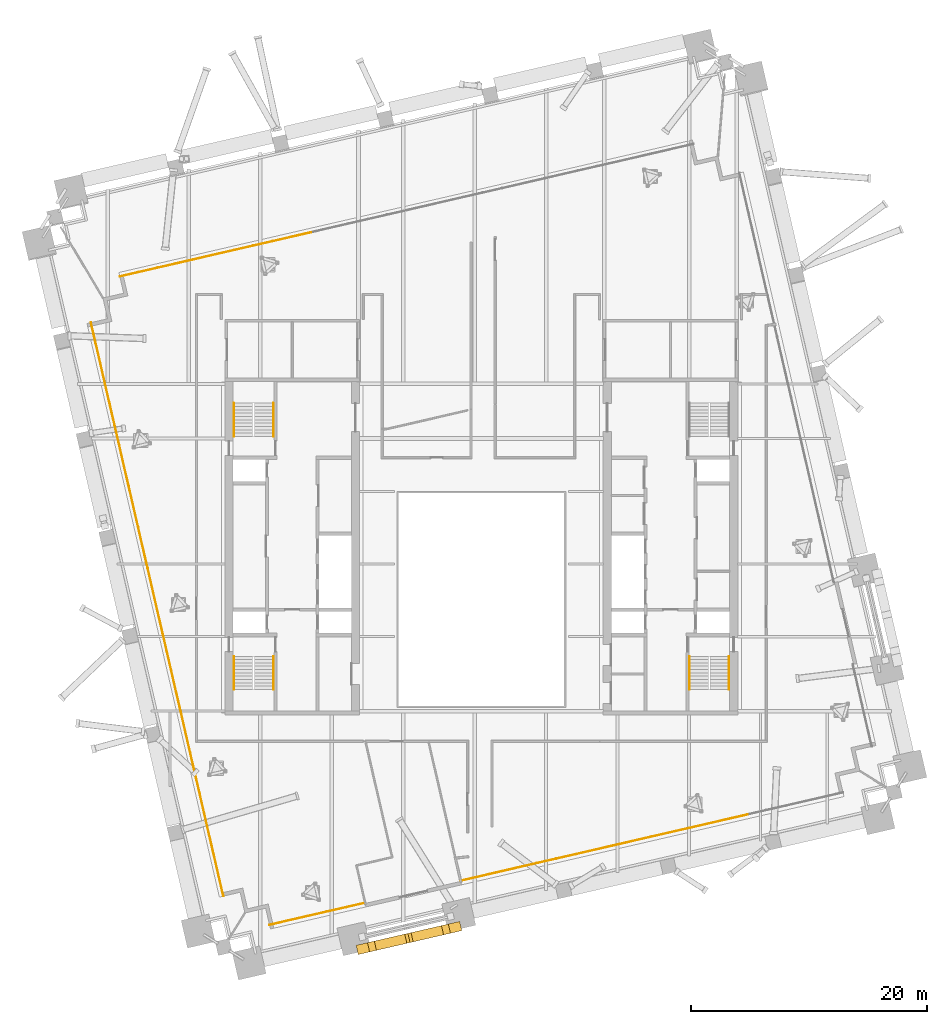
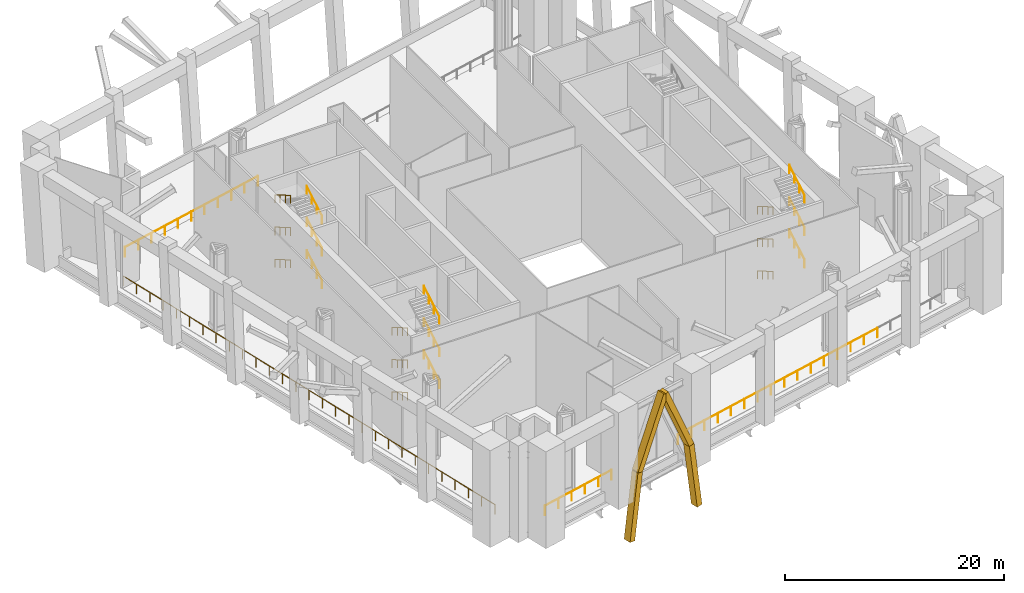
# One storey, part 24 of 25: 31 railings, 4 coverings.
"""IFC4 building model written with IfcOpenShell, lengths in metres."""

from ifc_helpers import new_model, si_unit, direction, frame, origin, origin_2d, place, context, subcontext, project, spatial, rectangle, circle, extrude, material, material_profile, profile_set, type_object, element, save


model = new_model("IFC4")

# Units and contexts
model_context = context("Model", 3, precision=1e-05, world=origin(), true_north=direction((0.0, 1.0)))
body_context = subcontext(model_context, "Body", "Model", "MODEL_VIEW")
ifc_project = project(units=[si_unit("LENGTHUNIT", "METRE"), si_unit("AREAUNIT", "SQUARE_METRE"), si_unit("VOLUMEUNIT", "CUBIC_METRE"), si_unit("PLANEANGLEUNIT", "RADIAN"), si_unit("MASSUNIT", "GRAM", prefix="KILO")], contexts=[model_context])

# Site, building, storey
site_placement = place(None, origin())
site = spatial("IfcSite", under=ifc_project, at=site_placement, CompositionType="ELEMENT")
building_placement = place(site_placement, origin())
building = spatial("IfcBuilding", under=site, at=building_placement, Name="Ogive Exchange Tower", CompositionType="ELEMENT")
storey_placement = place(building_placement, frame((0.0, 0.0, 226.199951171875)))
storey = spatial("IfcBuildingStorey", under=building, at=storey_placement, Name="L50", CompositionType="ELEMENT", Elevation=226.199951171875)

# Railings
ifc_material_1 = material(Name="Stainless steel 316", Category="steel")
railing_type_1 = type_object("IfcRailingType", Name="Guard 1100 stainless steel and glass", PredefinedType="GUARDRAIL", material=ifc_material_1)
railing_1_placement = place(storey_placement, frame((-17.929443359375, -20.52978515625, 0.0)))
element("IfcRailing", 1, at=railing_1_placement, inside=storey, type_object=railing_type_1, Name="Turbine band edge guard 1", PredefinedType="GUARDRAIL", context=body_context, shape_type="SweptSolid", body=[
    extrude(circle(Radius=0.02392578125, at=origin_2d()), frame((0.0, 0.0, 1.076171875), z_axis=(0.97436689797, 0.224964770888, 0.0), x_axis=(-0.224964770888, 0.97436689797, 0.0)), (0.0, 0.0, 1.0), 8.2998046875),
    extrude(circle(Radius=0.02099609375, at=origin_2d()), origin(), (0.0, 0.0, 1.0), 1.052001953125),
    extrude(circle(Radius=0.02099609375, at=origin_2d()), frame((1.617431640625, 0.37353515625, 0.0)), (0.0, 0.0, 1.0), 1.052001953125),
    extrude(circle(Radius=0.02099609375, at=origin_2d()), frame((3.23486328125, 0.746826171875, 0.0)), (0.0, 0.0, 1.0), 1.052001953125),
    extrude(circle(Radius=0.02099609375, at=origin_2d()), frame((4.852294921875, 1.120361328125, 0.0)), (0.0, 0.0, 1.0), 1.052001953125),
    extrude(circle(Radius=0.02099609375, at=origin_2d()), frame((6.4697265625, 1.49365234375, 0.0)), (0.0, 0.0, 1.0), 1.052001953125),
    extrude(circle(Radius=0.02099609375, at=origin_2d()), frame((8.087158203125, 1.8671875, 0.0)), (0.0, 0.0, 1.0), 1.052001953125),
])
railing_2_placement = place(storey_placement, frame((-1.7548828125, -16.795654296875, 0.0)))
element("IfcRailing", 2, at=railing_2_placement, inside=storey, type_object=railing_type_1, Name="Turbine band edge guard 2", PredefinedType="GUARDRAIL", context=body_context, shape_type="SweptSolid", body=[
    extrude(circle(Radius=0.02392578125, at=origin_2d()), frame((0.0, 0.0, 1.076171875), z_axis=(0.974368386566, 0.224958323385, 0.0), x_axis=(-0.224958323385, 0.974368386566, 0.0)), (0.0, 0.0, 1.0), 8.300048828125),
    extrude(circle(Radius=0.02099609375, at=origin_2d()), origin(), (0.0, 0.0, 1.0), 1.052001953125),
    extrude(circle(Radius=0.02099609375, at=origin_2d()), frame((1.617431640625, 0.37353515625, 0.0)), (0.0, 0.0, 1.0), 1.052001953125),
    extrude(circle(Radius=0.02099609375, at=origin_2d()), frame((3.23486328125, 0.746826171875, 0.0)), (0.0, 0.0, 1.0), 1.052001953125),
    extrude(circle(Radius=0.02099609375, at=origin_2d()), frame((4.8525390625, 1.120361328125, 0.0)), (0.0, 0.0, 1.0), 1.052001953125),
    extrude(circle(Radius=0.02099609375, at=origin_2d()), frame((6.469970703125, 1.49365234375, 0.0)), (0.0, 0.0, 1.0), 1.052001953125),
    extrude(circle(Radius=0.02099609375, at=origin_2d()), frame((8.08740234375, 1.8671875, 0.0)), (0.0, 0.0, 1.0), 1.052001953125),
])
railing_3_placement = place(storey_placement, frame((6.33251953125, -14.928466796875, 0.0)))
element("IfcRailing", 3, at=railing_3_placement, inside=storey, type_object=railing_type_1, Name="Turbine band edge guard 3", PredefinedType="GUARDRAIL", context=body_context, shape_type="SweptSolid", body=[
    extrude(circle(Radius=0.02392578125, at=origin_2d()), frame((0.0, 0.0, 1.076171875), z_axis=(0.97436689797, 0.224964770888, 0.0), x_axis=(-0.224964770888, 0.97436689797, 0.0)), (0.0, 0.0, 1.0), 8.2998046875),
    extrude(circle(Radius=0.02099609375, at=origin_2d()), origin(), (0.0, 0.0, 1.0), 1.052001953125),
    extrude(circle(Radius=0.02099609375, at=origin_2d()), frame((1.617431640625, 0.37353515625, 0.0)), (0.0, 0.0, 1.0), 1.052001953125),
    extrude(circle(Radius=0.02099609375, at=origin_2d()), frame((3.23486328125, 0.746826171875, 0.0)), (0.0, 0.0, 1.0), 1.052001953125),
    extrude(circle(Radius=0.02099609375, at=origin_2d()), frame((4.852294921875, 1.120361328125, 0.0)), (0.0, 0.0, 1.0), 1.052001953125),
    extrude(circle(Radius=0.02099609375, at=origin_2d()), frame((6.4697265625, 1.49365234375, 0.0)), (0.0, 0.0, 1.0), 1.052001953125),
    extrude(circle(Radius=0.02099609375, at=origin_2d()), frame((8.087158203125, 1.8671875, 0.0)), (0.0, 0.0, 1.0), 1.052001953125),
])
railing_4_placement = place(storey_placement, frame((14.419677734375, -13.061279296875, 0.0)))
element("IfcRailing", 4, at=railing_4_placement, inside=storey, type_object=railing_type_1, Name="Turbine band edge guard 4", PredefinedType="GUARDRAIL", context=body_context, shape_type="SweptSolid", body=[
    extrude(circle(Radius=0.02392578125, at=origin_2d()), frame((0.0, 0.0, 1.076171875), z_axis=(0.974373345295, 0.224936844422, 0.0), x_axis=(-0.224936844422, 0.974373345295, 0.0)), (0.0, 0.0, 1.0), 8.2998046875),
    extrude(circle(Radius=0.02099609375, at=origin_2d()), origin(), (0.0, 0.0, 1.0), 1.052001953125),
    extrude(circle(Radius=0.02099609375, at=origin_2d()), frame((1.617431640625, 0.373291015625, 0.0)), (0.0, 0.0, 1.0), 1.052001953125),
    extrude(circle(Radius=0.02099609375, at=origin_2d()), frame((3.23486328125, 0.746826171875, 0.0)), (0.0, 0.0, 1.0), 1.052001953125),
    extrude(circle(Radius=0.02099609375, at=origin_2d()), frame((4.852294921875, 1.1201171875, 0.0)), (0.0, 0.0, 1.0), 1.052001953125),
    extrude(circle(Radius=0.02099609375, at=origin_2d()), frame((6.4697265625, 1.49365234375, 0.0)), (0.0, 0.0, 1.0), 1.052001953125),
    extrude(circle(Radius=0.02099609375, at=origin_2d()), frame((8.087158203125, 1.866943359375, 0.0)), (0.0, 0.0, 1.0), 1.052001953125),
])
railing_5_placement = place(storey_placement, frame((-14.419677734375, 38.061279296875, 0.0)))
element("IfcRailing", 5, at=railing_5_placement, inside=storey, type_object=railing_type_1, Name="Turbine band edge guard 16", PredefinedType="GUARDRAIL", context=body_context, shape_type="SweptSolid", body=[
    extrude(circle(Radius=0.02392578125, at=origin_2d()), frame((0.0, 0.0, 1.076171875), z_axis=(-0.974373345295, -0.224936844422, 0.0), x_axis=(0.224936844422, -0.974373345295, 0.0)), (0.0, 0.0, 1.0), 8.2998046875),
    extrude(circle(Radius=0.02099609375, at=origin_2d()), origin(), (0.0, 0.0, 1.0), 1.052001953125),
    extrude(circle(Radius=0.02099609375, at=origin_2d()), frame((-1.617431640625, -0.373291015625, 0.0)), (0.0, 0.0, 1.0), 1.052001953125),
    extrude(circle(Radius=0.02099609375, at=origin_2d()), frame((-3.23486328125, -0.746826171875, 0.0)), (0.0, 0.0, 1.0), 1.052001953125),
    extrude(circle(Radius=0.02099609375, at=origin_2d()), frame((-4.852294921875, -1.1201171875, 0.0)), (0.0, 0.0, 1.0), 1.052001953125),
    extrude(circle(Radius=0.02099609375, at=origin_2d()), frame((-6.4697265625, -1.49365234375, 0.0)), (0.0, 0.0, 1.0), 1.052001953125),
    extrude(circle(Radius=0.02099609375, at=origin_2d()), frame((-8.087158203125, -1.866943359375, 0.0)), (0.0, 0.0, 1.0), 1.052001953125),
])
railing_6_placement = place(storey_placement, frame((-22.5068359375, 36.1943359375, 0.0)))
element("IfcRailing", 6, at=railing_6_placement, inside=storey, type_object=railing_type_1, Name="Turbine band edge guard 17", PredefinedType="GUARDRAIL", context=body_context, shape_type="SweptSolid", body=[
    extrude(circle(Radius=0.02392578125, at=origin_2d()), frame((0.0, 0.0, 1.076171875), z_axis=(-0.974368386566, -0.224958323385, 0.0), x_axis=(0.224958323385, -0.974368386566, 0.0)), (0.0, 0.0, 1.0), 8.300048828125),
    extrude(circle(Radius=0.02099609375, at=origin_2d()), origin(), (0.0, 0.0, 1.0), 1.052001953125),
    extrude(circle(Radius=0.02099609375, at=origin_2d()), frame((-1.617431640625, -0.37353515625, 0.0)), (0.0, 0.0, 1.0), 1.052001953125),
    extrude(circle(Radius=0.02099609375, at=origin_2d()), frame((-3.23486328125, -0.746826171875, 0.0)), (0.0, 0.0, 1.0), 1.052001953125),
    extrude(circle(Radius=0.02099609375, at=origin_2d()), frame((-4.8525390625, -1.120361328125, 0.0)), (0.0, 0.0, 1.0), 1.052001953125),
    extrude(circle(Radius=0.02099609375, at=origin_2d()), frame((-6.469970703125, -1.49365234375, 0.0)), (0.0, 0.0, 1.0), 1.052001953125),
    extrude(circle(Radius=0.02099609375, at=origin_2d()), frame((-8.08740234375, -1.8671875, 0.0)), (0.0, 0.0, 1.0), 1.052001953125),
])
railing_7_placement = place(storey_placement, frame((-33.02978515625, 30.429443359375, 0.0)))
element("IfcRailing", 7, at=railing_7_placement, inside=storey, type_object=railing_type_1, Name="Turbine band edge guard 18", PredefinedType="GUARDRAIL", context=body_context, shape_type="SweptSolid", body=[
    extrude(circle(Radius=0.02392578125, at=origin_2d()), frame((0.0, 0.0, 1.076171875), z_axis=(0.224949733175, -0.9743703698, 0.0), x_axis=(0.9743703698, 0.224949733175, 0.0)), (0.0, 0.0, 1.0), 7.1142578125),
    extrude(circle(Radius=0.02099609375, at=origin_2d()), origin(), (0.0, 0.0, 1.0), 1.052001953125),
    extrude(circle(Radius=0.02099609375, at=origin_2d()), frame((0.400146484375, -1.73291015625, 0.0)), (0.0, 0.0, 1.0), 1.052001953125),
    extrude(circle(Radius=0.02099609375, at=origin_2d()), frame((0.80029296875, -3.4658203125, 0.0)), (0.0, 0.0, 1.0), 1.052001953125),
    extrude(circle(Radius=0.02099609375, at=origin_2d()), frame((1.2001953125, -5.198974609375, 0.0)), (0.0, 0.0, 1.0), 1.052001953125),
    extrude(circle(Radius=0.02099609375, at=origin_2d()), frame((1.600341796875, -6.931884765625, 0.0)), (0.0, 0.0, 1.0), 1.052001953125),
])
railing_8_placement = place(storey_placement, frame((-31.429443359375, 23.49755859375, 0.0)))
element("IfcRailing", 8, at=railing_8_placement, inside=storey, type_object=railing_type_1, Name="Turbine band edge guard 19", PredefinedType="GUARDRAIL", context=body_context, shape_type="SweptSolid", body=[
    extrude(circle(Radius=0.02392578125, at=origin_2d()), frame((0.0, 0.0, 1.076171875), z_axis=(0.22494221161, -0.974372106249, 0.0), x_axis=(0.974372106249, 0.22494221161, 0.0)), (0.0, 0.0, 1.0), 7.114501953125),
    extrude(circle(Radius=0.02099609375, at=origin_2d()), origin(), (0.0, 0.0, 1.0), 1.052001953125),
    extrude(circle(Radius=0.02099609375, at=origin_2d()), frame((0.400146484375, -1.73291015625, 0.0)), (0.0, 0.0, 1.0), 1.052001953125),
    extrude(circle(Radius=0.02099609375, at=origin_2d()), frame((0.80029296875, -3.466064453125, 0.0)), (0.0, 0.0, 1.0), 1.052001953125),
    extrude(circle(Radius=0.02099609375, at=origin_2d()), frame((1.2001953125, -5.19921875, 0.0)), (0.0, 0.0, 1.0), 1.052001953125),
    extrude(circle(Radius=0.02099609375, at=origin_2d()), frame((1.600341796875, -6.93212890625, 0.0)), (0.0, 0.0, 1.0), 1.052001953125),
])
for number, where, name in (
    (9, (-29.8291015625, 16.5654296875, 0.0), "Turbine band edge guard 20"),
    (10, (-28.228759765625, 9.633544921875, 0.0), "Turbine band edge guard 21"),
    (11, (-26.62841796875, 2.70166015625, 0.0), "Turbine band edge guard 22"),
):
    element("IfcRailing", number, at=place(storey_placement, frame(where)), inside=storey, type_object=railing_type_1, Name=name, PredefinedType="GUARDRAIL", context=body_context, shape_type="SweptSolid", body=[
        extrude(circle(Radius=0.02392578125, at=origin_2d()), frame((0.0, 0.0, 1.076171875), z_axis=(0.224949733175, -0.9743703698, 0.0), x_axis=(0.9743703698, 0.224949733175, 0.0)), (0.0, 0.0, 1.0), 7.1142578125),
        extrude(circle(Radius=0.02099609375, at=origin_2d()), origin(), (0.0, 0.0, 1.0), 1.052001953125),
        extrude(circle(Radius=0.02099609375, at=origin_2d()), frame((0.400146484375, -1.73291015625, 0.0)), (0.0, 0.0, 1.0), 1.052001953125),
        extrude(circle(Radius=0.02099609375, at=origin_2d()), frame((0.80029296875, -3.4658203125, 0.0)), (0.0, 0.0, 1.0), 1.052001953125),
        extrude(circle(Radius=0.02099609375, at=origin_2d()), frame((1.2001953125, -5.198974609375, 0.0)), (0.0, 0.0, 1.0), 1.052001953125),
        extrude(circle(Radius=0.02099609375, at=origin_2d()), frame((1.600341796875, -6.931884765625, 0.0)), (0.0, 0.0, 1.0), 1.052001953125),
    ])
railing_9_placement = place(storey_placement, frame((-25.028076171875, -4.230224609375, 0.0)))
element("IfcRailing", 12, at=railing_9_placement, inside=storey, type_object=railing_type_1, Name="Turbine band edge guard 23", PredefinedType="GUARDRAIL", context=body_context, shape_type="SweptSolid", body=[
    extrude(circle(Radius=0.02392578125, at=origin_2d()), frame((0.0, 0.0, 1.076171875), z_axis=(0.224982313536, -0.974362847504, 0.0), x_axis=(0.974362847504, 0.224982313536, 0.0)), (0.0, 0.0, 1.0), 7.1142578125),
    extrude(circle(Radius=0.02099609375, at=origin_2d()), origin(), (0.0, 0.0, 1.0), 1.052001953125),
    extrude(circle(Radius=0.02099609375, at=origin_2d()), frame((0.400146484375, -1.73291015625, 0.0)), (0.0, 0.0, 1.0), 1.052001953125),
    extrude(circle(Radius=0.02099609375, at=origin_2d()), frame((0.80029296875, -3.4658203125, 0.0)), (0.0, 0.0, 1.0), 1.052001953125),
    extrude(circle(Radius=0.02099609375, at=origin_2d()), frame((1.200439453125, -5.198974609375, 0.0)), (0.0, 0.0, 1.0), 1.052001953125),
    extrude(circle(Radius=0.02099609375, at=origin_2d()), frame((1.6005859375, -6.931884765625, 0.0)), (0.0, 0.0, 1.0), 1.052001953125),
])
railing_10_placement = place(storey_placement, frame((-23.427490234375, -11.162109375, 0.0)))
element("IfcRailing", 13, at=railing_10_placement, inside=storey, type_object=railing_type_1, Name="Turbine band edge guard 24", PredefinedType="GUARDRAIL", context=body_context, shape_type="SweptSolid", body=[
    extrude(circle(Radius=0.02392578125, at=origin_2d()), frame((0.0, 0.0, 1.076171875), z_axis=(0.22494221161, -0.974372106249, 0.0), x_axis=(0.974372106249, 0.22494221161, 0.0)), (0.0, 0.0, 1.0), 7.114501953125),
    extrude(circle(Radius=0.02099609375, at=origin_2d()), origin(), (0.0, 0.0, 1.0), 1.052001953125),
    extrude(circle(Radius=0.02099609375, at=origin_2d()), frame((0.400146484375, -1.73291015625, 0.0)), (0.0, 0.0, 1.0), 1.052001953125),
    extrude(circle(Radius=0.02099609375, at=origin_2d()), frame((0.80029296875, -3.466064453125, 0.0)), (0.0, 0.0, 1.0), 1.052001953125),
    extrude(circle(Radius=0.02099609375, at=origin_2d()), frame((1.2001953125, -5.19921875, 0.0)), (0.0, 0.0, 1.0), 1.052001953125),
    extrude(circle(Radius=0.02099609375, at=origin_2d()), frame((1.600341796875, -6.93212890625, 0.0)), (0.0, 0.0, 1.0), 1.052001953125),
])

# Coverings
ifc_material_2 = material(Name="Precast concrete C50/60", Category="concrete")
ifc_material_profile = material_profile(ifc_material_2, rectangle(XDim=0.800048828125, YDim=0.60009765625, at=origin_2d()), Name="RIB 800 x 600")
ifc_profile_set = profile_set([ifc_material_profile], Name="Precast concrete C50/60")
covering_type = type_object("IfcCoveringType", Name="Precast tracery rib 800 x 600 C50/60", PredefinedType="CLADDING", material=ifc_profile_set)
covering_1_placement = place(storey_placement, frame((-10.220947265625, -22.577880859375, -4.199951171875), z_axis=(0.131333532449, 0.030330838668, 0.990874130998), x_axis=(-0.225022218484, 0.974353632512, 0.0)))
element("IfcCovering", 14, at=covering_1_placement, inside=storey, type_object=covering_type, Name="Tracery rib 2a", PredefinedType="CLADDING", context=body_context, shape_type="SweptSolid", body=[
    extrude(rectangle(XDim=0.800048828125, YDim=0.60009765625, at=origin_2d()), origin(), (0.0, 0.0, 1.0), 7.316650390625),
])
covering_2_placement = place(storey_placement, frame((-9.260009765625, -22.35595703125, 3.050048828125), z_axis=(0.394830275246, 0.091157305653, 0.914220651361), x_axis=(-0.224959381613, 0.974368142246, 0.0)))
element("IfcCovering", 15, at=covering_2_placement, inside=storey, type_object=covering_type, Name="Tracery rib 2a", PredefinedType="CLADDING", context=body_context, shape_type="SweptSolid", body=[
    extrude(rectangle(XDim=0.800048828125, YDim=0.60009765625, at=origin_2d()), origin(), (0.0, 0.0, 1.0), 7.93017578125),
])
covering_3_placement = place(storey_placement, frame((-2.035888671875, -20.68896484375, -4.199951171875), z_axis=(-0.131497485679, -0.030330173682, 0.99085240668), x_axis=(0.224751159365, -0.974416192581, 0.0)))
element("IfcCovering", 16, at=covering_3_placement, inside=storey, type_object=covering_type, Name="Tracery rib 2b", PredefinedType="CLADDING", context=body_context, shape_type="SweptSolid", body=[
    extrude(rectangle(XDim=0.800048828125, YDim=0.60009765625, at=origin_2d()), origin(), (0.0, 0.0, 1.0), 7.31689453125),
])
covering_4_placement = place(storey_placement, frame((-2.998046875, -20.910888671875, 3.050048828125), z_axis=(-0.394807610379, -0.091066820922, 0.914239457097), x_axis=(0.224759616907, -0.974414241792, 0.0)))
element("IfcCovering", 17, at=covering_4_placement, inside=storey, type_object=covering_type, Name="Tracery rib 2b", PredefinedType="CLADDING", context=body_context, shape_type="SweptSolid", body=[
    extrude(rectangle(XDim=0.800048828125, YDim=0.60009765625, at=origin_2d()), origin(), (0.0, 0.0, 1.0), 7.93017578125),
])

# Railings
ifc_material_3 = material(Name="Stainless steel", Category="steel")
railing_type_2 = type_object("IfcRailingType", Name="Stair handrail 900", PredefinedType="HANDRAIL", material=ifc_material_3)
railing_11_placement = place(storey_placement, frame((-20.949951171875, 2.199951171875, 0.16357421875)))
element("IfcRailing", 18, at=railing_11_placement, inside=storey, type_object=railing_type_2, Name="L50 ST1 stair handrail 1", PredefinedType="HANDRAIL", context=body_context, shape_type="SweptSolid", body=[
    extrude(circle(Radius=0.02392578125, at=origin_2d()), frame((0.0, 0.0, 0.8759765625), z_axis=(0.0, -0.864143559488, 0.503245376129), x_axis=(1.0, 0.0, 0.0)), (0.0, 0.0, 1.0), 3.251953125),
    extrude(circle(Radius=0.02099609375, at=origin_2d()), origin(), (0.0, 0.0, 1.0), 0.851806640625),
    extrude(circle(Radius=0.02099609375, at=origin_2d()), frame((0.0, -0.936767578125, 0.54541015625)), (0.0, 0.0, 1.0), 0.851806640625),
    extrude(circle(Radius=0.02099609375, at=origin_2d()), frame((0.0, -1.873291015625, 1.091064453125)), (0.0, 0.0, 1.0), 0.851806640625),
    extrude(circle(Radius=0.02099609375, at=origin_2d()), frame((0.0, -2.81005859375, 1.636474609375)), (0.0, 0.0, 1.0), 0.851806640625),
])
railing_12_placement = place(storey_placement, frame((-17.60009765625, -0.610107421875, 1.963623046875)))
element("IfcRailing", 19, at=railing_12_placement, inside=storey, type_object=railing_type_2, Name="L50 ST1 stair handrail 2", PredefinedType="HANDRAIL", context=body_context, shape_type="SweptSolid", body=[
    extrude(circle(Radius=0.02392578125, at=origin_2d()), frame((0.0, 0.0, 0.8759765625), z_axis=(0.0, 0.864143559488, 0.503245376129), x_axis=(-1.0, 0.0, 0.0)), (0.0, 0.0, 1.0), 3.251953125),
    extrude(circle(Radius=0.02099609375, at=origin_2d()), origin(), (0.0, 0.0, 1.0), 0.851806640625),
    extrude(circle(Radius=0.02099609375, at=origin_2d()), frame((0.0, 0.936767578125, 0.54541015625)), (0.0, 0.0, 1.0), 0.851806640625),
    extrude(circle(Radius=0.02099609375, at=origin_2d()), frame((0.0, 1.873291015625, 1.091064453125)), (0.0, 0.0, 1.0), 0.851806640625),
    extrude(circle(Radius=0.02099609375, at=origin_2d()), frame((0.0, 2.81005859375, 1.636474609375)), (0.0, 0.0, 1.0), 0.851806640625),
])
railing_13_placement = place(storey_placement, frame((-20.949951171875, 2.199951171875, 3.763671875)))
element("IfcRailing", 20, at=railing_13_placement, inside=storey, type_object=railing_type_2, Name="L50 ST1 stair handrail 3", PredefinedType="HANDRAIL", context=body_context, shape_type="SweptSolid", body=[
    extrude(circle(Radius=0.02392578125, at=origin_2d()), frame((0.0, 0.0, 0.8759765625), z_axis=(0.0, -0.864143559488, 0.503245376129), x_axis=(1.0, 0.0, 0.0)), (0.0, 0.0, 1.0), 3.251953125),
    extrude(circle(Radius=0.02099609375, at=origin_2d()), origin(), (0.0, 0.0, 1.0), 0.851806640625),
    extrude(circle(Radius=0.02099609375, at=origin_2d()), frame((0.0, -0.936767578125, 0.54541015625)), (0.0, 0.0, 1.0), 0.851806640625),
    extrude(circle(Radius=0.02099609375, at=origin_2d()), frame((0.0, -1.873291015625, 1.091064453125)), (0.0, 0.0, 1.0), 0.851806640625),
    extrude(circle(Radius=0.02099609375, at=origin_2d()), frame((0.0, -2.81005859375, 1.636474609375)), (0.0, 0.0, 1.0), 0.851806640625),
])
railing_14_placement = place(storey_placement, frame((-17.60009765625, -0.610107421875, 5.563720703125)))
element("IfcRailing", 21, at=railing_14_placement, inside=storey, type_object=railing_type_2, Name="L50 ST1 stair handrail 4", PredefinedType="HANDRAIL", context=body_context, shape_type="SweptSolid", body=[
    extrude(circle(Radius=0.02392578125, at=origin_2d()), frame((0.0, 0.0, 0.8759765625), z_axis=(0.0, 0.864176208382, 0.503189309173), x_axis=(-1.0, 0.0, 0.0)), (0.0, 0.0, 1.0), 3.251708984375),
    extrude(circle(Radius=0.02099609375, at=origin_2d()), origin(), (0.0, 0.0, 1.0), 0.851806640625),
    extrude(circle(Radius=0.02099609375, at=origin_2d()), frame((0.0, 0.936767578125, 0.54541015625)), (0.0, 0.0, 1.0), 0.851806640625),
    extrude(circle(Radius=0.02099609375, at=origin_2d()), frame((0.0, 1.873291015625, 1.0908203125)), (0.0, 0.0, 1.0), 0.851806640625),
    extrude(circle(Radius=0.02099609375, at=origin_2d()), frame((0.0, 2.81005859375, 1.63623046875)), (0.0, 0.0, 1.0), 0.851806640625),
])
railing_15_placement = place(storey_placement, frame((-20.949951171875, 2.199951171875, 7.36376953125)))
element("IfcRailing", 22, at=railing_15_placement, inside=storey, type_object=railing_type_2, Name="L50 ST1 stair handrail 5", PredefinedType="HANDRAIL", context=body_context, shape_type="SweptSolid", body=[
    extrude(circle(Radius=0.02392578125, at=origin_2d()), frame((0.0, 0.0, 0.8759765625), z_axis=(0.0, -0.864176208382, 0.503189309173), x_axis=(1.0, 0.0, 0.0)), (0.0, 0.0, 1.0), 3.251708984375),
    extrude(circle(Radius=0.02099609375, at=origin_2d()), origin(), (0.0, 0.0, 1.0), 0.851806640625),
    extrude(circle(Radius=0.02099609375, at=origin_2d()), frame((0.0, -0.936767578125, 0.54541015625)), (0.0, 0.0, 1.0), 0.851806640625),
    extrude(circle(Radius=0.02099609375, at=origin_2d()), frame((0.0, -1.873291015625, 1.0908203125)), (0.0, 0.0, 1.0), 0.851806640625),
    extrude(circle(Radius=0.02099609375, at=origin_2d()), frame((0.0, -2.81005859375, 1.63623046875)), (0.0, 0.0, 1.0), 0.851806640625),
])
for number, where, name in (
    (23, (-17.60009765625, -0.610107421875, 9.16357421875), "L50 ST1 stair handrail 6"),
    (24, (-17.60009765625, 20.800048828125, 0.16357421875), "L50 ST2 stair handrail 1"),
):
    element("IfcRailing", number, at=place(storey_placement, frame(where)), inside=storey, type_object=railing_type_2, Name=name, PredefinedType="HANDRAIL", context=body_context, shape_type="SweptSolid", body=[
        extrude(circle(Radius=0.02392578125, at=origin_2d()), frame((0.0, 0.0, 0.8759765625), z_axis=(0.0, 0.864143559488, 0.503245376129), x_axis=(-1.0, 0.0, 0.0)), (0.0, 0.0, 1.0), 3.251953125),
        extrude(circle(Radius=0.02099609375, at=origin_2d()), origin(), (0.0, 0.0, 1.0), 0.851806640625),
        extrude(circle(Radius=0.02099609375, at=origin_2d()), frame((0.0, 0.936767578125, 0.54541015625)), (0.0, 0.0, 1.0), 0.851806640625),
        extrude(circle(Radius=0.02099609375, at=origin_2d()), frame((0.0, 1.873291015625, 1.091064453125)), (0.0, 0.0, 1.0), 0.851806640625),
        extrude(circle(Radius=0.02099609375, at=origin_2d()), frame((0.0, 2.81005859375, 1.636474609375)), (0.0, 0.0, 1.0), 0.851806640625),
    ])
railing_16_placement = place(storey_placement, frame((-20.949951171875, 23.610107421875, 1.963623046875)))
element("IfcRailing", 25, at=railing_16_placement, inside=storey, type_object=railing_type_2, Name="L50 ST2 stair handrail 2", PredefinedType="HANDRAIL", context=body_context, shape_type="SweptSolid", body=[
    extrude(circle(Radius=0.02392578125, at=origin_2d()), frame((0.0, 0.0, 0.8759765625), z_axis=(0.0, -0.864143559488, 0.503245376129), x_axis=(1.0, 0.0, 0.0)), (0.0, 0.0, 1.0), 3.251953125),
    extrude(circle(Radius=0.02099609375, at=origin_2d()), origin(), (0.0, 0.0, 1.0), 0.851806640625),
    extrude(circle(Radius=0.02099609375, at=origin_2d()), frame((0.0, -0.936767578125, 0.54541015625)), (0.0, 0.0, 1.0), 0.851806640625),
    extrude(circle(Radius=0.02099609375, at=origin_2d()), frame((0.0, -1.873291015625, 1.091064453125)), (0.0, 0.0, 1.0), 0.851806640625),
    extrude(circle(Radius=0.02099609375, at=origin_2d()), frame((0.0, -2.81005859375, 1.636474609375)), (0.0, 0.0, 1.0), 0.851806640625),
])
railing_17_placement = place(storey_placement, frame((-17.60009765625, 20.800048828125, 3.763671875)))
element("IfcRailing", 26, at=railing_17_placement, inside=storey, type_object=railing_type_2, Name="L50 ST2 stair handrail 3", PredefinedType="HANDRAIL", context=body_context, shape_type="SweptSolid", body=[
    extrude(circle(Radius=0.02392578125, at=origin_2d()), frame((0.0, 0.0, 0.8759765625), z_axis=(0.0, 0.864143559488, 0.503245376129), x_axis=(-1.0, 0.0, 0.0)), (0.0, 0.0, 1.0), 3.251953125),
    extrude(circle(Radius=0.02099609375, at=origin_2d()), origin(), (0.0, 0.0, 1.0), 0.851806640625),
    extrude(circle(Radius=0.02099609375, at=origin_2d()), frame((0.0, 0.936767578125, 0.54541015625)), (0.0, 0.0, 1.0), 0.851806640625),
    extrude(circle(Radius=0.02099609375, at=origin_2d()), frame((0.0, 1.873291015625, 1.091064453125)), (0.0, 0.0, 1.0), 0.851806640625),
    extrude(circle(Radius=0.02099609375, at=origin_2d()), frame((0.0, 2.81005859375, 1.636474609375)), (0.0, 0.0, 1.0), 0.851806640625),
])
railing_18_placement = place(storey_placement, frame((-20.949951171875, 23.610107421875, 5.563720703125)))
element("IfcRailing", 27, at=railing_18_placement, inside=storey, type_object=railing_type_2, Name="L50 ST2 stair handrail 4", PredefinedType="HANDRAIL", context=body_context, shape_type="SweptSolid", body=[
    extrude(circle(Radius=0.02392578125, at=origin_2d()), frame((0.0, 0.0, 0.8759765625), z_axis=(0.0, -0.864176208382, 0.503189309173), x_axis=(1.0, 0.0, 0.0)), (0.0, 0.0, 1.0), 3.251708984375),
    extrude(circle(Radius=0.02099609375, at=origin_2d()), origin(), (0.0, 0.0, 1.0), 0.851806640625),
    extrude(circle(Radius=0.02099609375, at=origin_2d()), frame((0.0, -0.936767578125, 0.54541015625)), (0.0, 0.0, 1.0), 0.851806640625),
    extrude(circle(Radius=0.02099609375, at=origin_2d()), frame((0.0, -1.873291015625, 1.0908203125)), (0.0, 0.0, 1.0), 0.851806640625),
    extrude(circle(Radius=0.02099609375, at=origin_2d()), frame((0.0, -2.81005859375, 1.63623046875)), (0.0, 0.0, 1.0), 0.851806640625),
])
railing_19_placement = place(storey_placement, frame((-17.60009765625, 20.800048828125, 7.36376953125)))
element("IfcRailing", 28, at=railing_19_placement, inside=storey, type_object=railing_type_2, Name="L50 ST2 stair handrail 5", PredefinedType="HANDRAIL", context=body_context, shape_type="SweptSolid", body=[
    extrude(circle(Radius=0.02392578125, at=origin_2d()), frame((0.0, 0.0, 0.8759765625), z_axis=(0.0, 0.864176208382, 0.503189309173), x_axis=(-1.0, 0.0, 0.0)), (0.0, 0.0, 1.0), 3.251708984375),
    extrude(circle(Radius=0.02099609375, at=origin_2d()), origin(), (0.0, 0.0, 1.0), 0.851806640625),
    extrude(circle(Radius=0.02099609375, at=origin_2d()), frame((0.0, 0.936767578125, 0.54541015625)), (0.0, 0.0, 1.0), 0.851806640625),
    extrude(circle(Radius=0.02099609375, at=origin_2d()), frame((0.0, 1.873291015625, 1.0908203125)), (0.0, 0.0, 1.0), 0.851806640625),
    extrude(circle(Radius=0.02099609375, at=origin_2d()), frame((0.0, 2.81005859375, 1.63623046875)), (0.0, 0.0, 1.0), 0.851806640625),
])
for number, where, name in (
    (29, (-20.949951171875, 23.610107421875, 9.16357421875), "L50 ST2 stair handrail 6"),
    (30, (17.60009765625, 2.199951171875, 0.16357421875), "L50 ST3 stair handrail 1"),
):
    element("IfcRailing", number, at=place(storey_placement, frame(where)), inside=storey, type_object=railing_type_2, Name=name, PredefinedType="HANDRAIL", context=body_context, shape_type="SweptSolid", body=[
        extrude(circle(Radius=0.02392578125, at=origin_2d()), frame((0.0, 0.0, 0.8759765625), z_axis=(0.0, -0.864143559488, 0.503245376129), x_axis=(1.0, 0.0, 0.0)), (0.0, 0.0, 1.0), 3.251953125),
        extrude(circle(Radius=0.02099609375, at=origin_2d()), origin(), (0.0, 0.0, 1.0), 0.851806640625),
        extrude(circle(Radius=0.02099609375, at=origin_2d()), frame((0.0, -0.936767578125, 0.54541015625)), (0.0, 0.0, 1.0), 0.851806640625),
        extrude(circle(Radius=0.02099609375, at=origin_2d()), frame((0.0, -1.873291015625, 1.091064453125)), (0.0, 0.0, 1.0), 0.851806640625),
        extrude(circle(Radius=0.02099609375, at=origin_2d()), frame((0.0, -2.81005859375, 1.636474609375)), (0.0, 0.0, 1.0), 0.851806640625),
    ])
railing_20_placement = place(storey_placement, frame((20.949951171875, -0.610107421875, 1.963623046875)))
element("IfcRailing", 31, at=railing_20_placement, inside=storey, type_object=railing_type_2, Name="L50 ST3 stair handrail 2", PredefinedType="HANDRAIL", context=body_context, shape_type="SweptSolid", body=[
    extrude(circle(Radius=0.02392578125, at=origin_2d()), frame((0.0, 0.0, 0.8759765625), z_axis=(0.0, 0.864143559488, 0.503245376129), x_axis=(-1.0, 0.0, 0.0)), (0.0, 0.0, 1.0), 3.251953125),
    extrude(circle(Radius=0.02099609375, at=origin_2d()), origin(), (0.0, 0.0, 1.0), 0.851806640625),
    extrude(circle(Radius=0.02099609375, at=origin_2d()), frame((0.0, 0.936767578125, 0.54541015625)), (0.0, 0.0, 1.0), 0.851806640625),
    extrude(circle(Radius=0.02099609375, at=origin_2d()), frame((0.0, 1.873291015625, 1.091064453125)), (0.0, 0.0, 1.0), 0.851806640625),
    extrude(circle(Radius=0.02099609375, at=origin_2d()), frame((0.0, 2.81005859375, 1.636474609375)), (0.0, 0.0, 1.0), 0.851806640625),
])
railing_21_placement = place(storey_placement, frame((17.60009765625, 2.199951171875, 3.763671875)))
element("IfcRailing", 32, at=railing_21_placement, inside=storey, type_object=railing_type_2, Name="L50 ST3 stair handrail 3", PredefinedType="HANDRAIL", context=body_context, shape_type="SweptSolid", body=[
    extrude(circle(Radius=0.02392578125, at=origin_2d()), frame((0.0, 0.0, 0.8759765625), z_axis=(0.0, -0.864143559488, 0.503245376129), x_axis=(1.0, 0.0, 0.0)), (0.0, 0.0, 1.0), 3.251953125),
    extrude(circle(Radius=0.02099609375, at=origin_2d()), origin(), (0.0, 0.0, 1.0), 0.851806640625),
    extrude(circle(Radius=0.02099609375, at=origin_2d()), frame((0.0, -0.936767578125, 0.54541015625)), (0.0, 0.0, 1.0), 0.851806640625),
    extrude(circle(Radius=0.02099609375, at=origin_2d()), frame((0.0, -1.873291015625, 1.091064453125)), (0.0, 0.0, 1.0), 0.851806640625),
    extrude(circle(Radius=0.02099609375, at=origin_2d()), frame((0.0, -2.81005859375, 1.636474609375)), (0.0, 0.0, 1.0), 0.851806640625),
])
railing_22_placement = place(storey_placement, frame((20.949951171875, -0.610107421875, 5.563720703125)))
element("IfcRailing", 33, at=railing_22_placement, inside=storey, type_object=railing_type_2, Name="L50 ST3 stair handrail 4", PredefinedType="HANDRAIL", context=body_context, shape_type="SweptSolid", body=[
    extrude(circle(Radius=0.02392578125, at=origin_2d()), frame((0.0, 0.0, 0.8759765625), z_axis=(0.0, 0.864176208382, 0.503189309173), x_axis=(-1.0, 0.0, 0.0)), (0.0, 0.0, 1.0), 3.251708984375),
    extrude(circle(Radius=0.02099609375, at=origin_2d()), origin(), (0.0, 0.0, 1.0), 0.851806640625),
    extrude(circle(Radius=0.02099609375, at=origin_2d()), frame((0.0, 0.936767578125, 0.54541015625)), (0.0, 0.0, 1.0), 0.851806640625),
    extrude(circle(Radius=0.02099609375, at=origin_2d()), frame((0.0, 1.873291015625, 1.0908203125)), (0.0, 0.0, 1.0), 0.851806640625),
    extrude(circle(Radius=0.02099609375, at=origin_2d()), frame((0.0, 2.81005859375, 1.63623046875)), (0.0, 0.0, 1.0), 0.851806640625),
])
railing_23_placement = place(storey_placement, frame((17.60009765625, 2.199951171875, 7.36376953125)))
element("IfcRailing", 34, at=railing_23_placement, inside=storey, type_object=railing_type_2, Name="L50 ST3 stair handrail 5", PredefinedType="HANDRAIL", context=body_context, shape_type="SweptSolid", body=[
    extrude(circle(Radius=0.02392578125, at=origin_2d()), frame((0.0, 0.0, 0.8759765625), z_axis=(0.0, -0.864176208382, 0.503189309173), x_axis=(1.0, 0.0, 0.0)), (0.0, 0.0, 1.0), 3.251708984375),
    extrude(circle(Radius=0.02099609375, at=origin_2d()), origin(), (0.0, 0.0, 1.0), 0.851806640625),
    extrude(circle(Radius=0.02099609375, at=origin_2d()), frame((0.0, -0.936767578125, 0.54541015625)), (0.0, 0.0, 1.0), 0.851806640625),
    extrude(circle(Radius=0.02099609375, at=origin_2d()), frame((0.0, -1.873291015625, 1.0908203125)), (0.0, 0.0, 1.0), 0.851806640625),
    extrude(circle(Radius=0.02099609375, at=origin_2d()), frame((0.0, -2.81005859375, 1.63623046875)), (0.0, 0.0, 1.0), 0.851806640625),
])
railing_24_placement = place(storey_placement, frame((20.949951171875, -0.610107421875, 9.16357421875)))
element("IfcRailing", 35, at=railing_24_placement, inside=storey, type_object=railing_type_2, Name="L50 ST3 stair handrail 6", PredefinedType="HANDRAIL", context=body_context, shape_type="SweptSolid", body=[
    extrude(circle(Radius=0.02392578125, at=origin_2d()), frame((0.0, 0.0, 0.8759765625), z_axis=(0.0, 0.864143559488, 0.503245376129), x_axis=(-1.0, 0.0, 0.0)), (0.0, 0.0, 1.0), 3.251953125),
    extrude(circle(Radius=0.02099609375, at=origin_2d()), origin(), (0.0, 0.0, 1.0), 0.851806640625),
    extrude(circle(Radius=0.02099609375, at=origin_2d()), frame((0.0, 0.936767578125, 0.54541015625)), (0.0, 0.0, 1.0), 0.851806640625),
    extrude(circle(Radius=0.02099609375, at=origin_2d()), frame((0.0, 1.873291015625, 1.091064453125)), (0.0, 0.0, 1.0), 0.851806640625),
    extrude(circle(Radius=0.02099609375, at=origin_2d()), frame((0.0, 2.81005859375, 1.636474609375)), (0.0, 0.0, 1.0), 0.851806640625),
])

save(model, "model.ifc")
